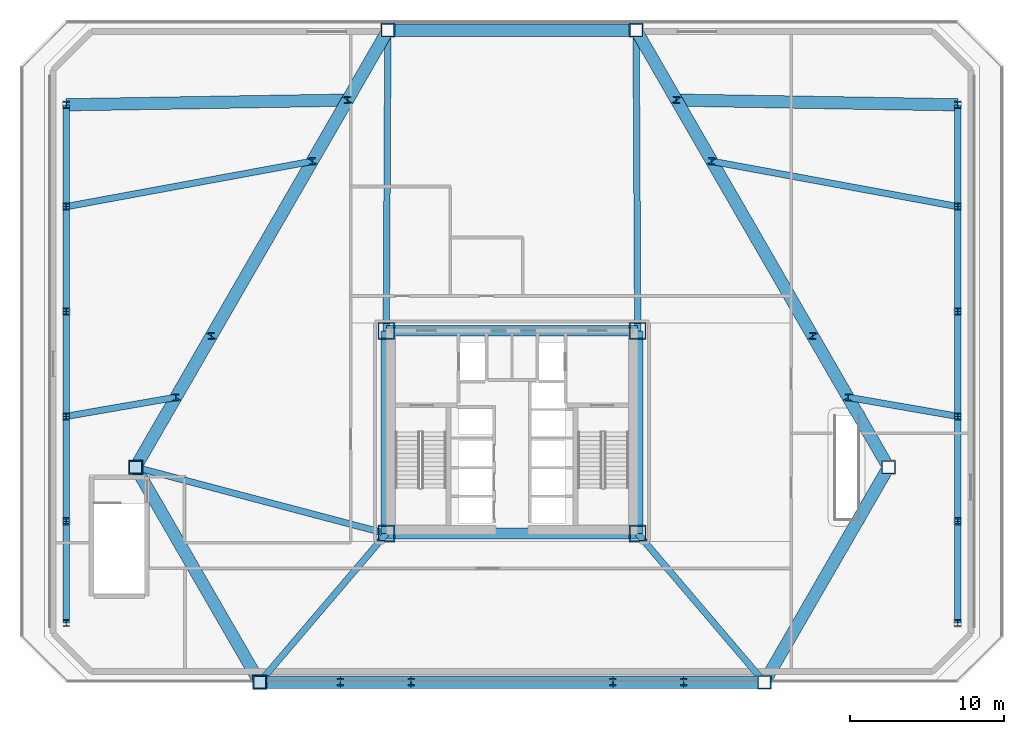
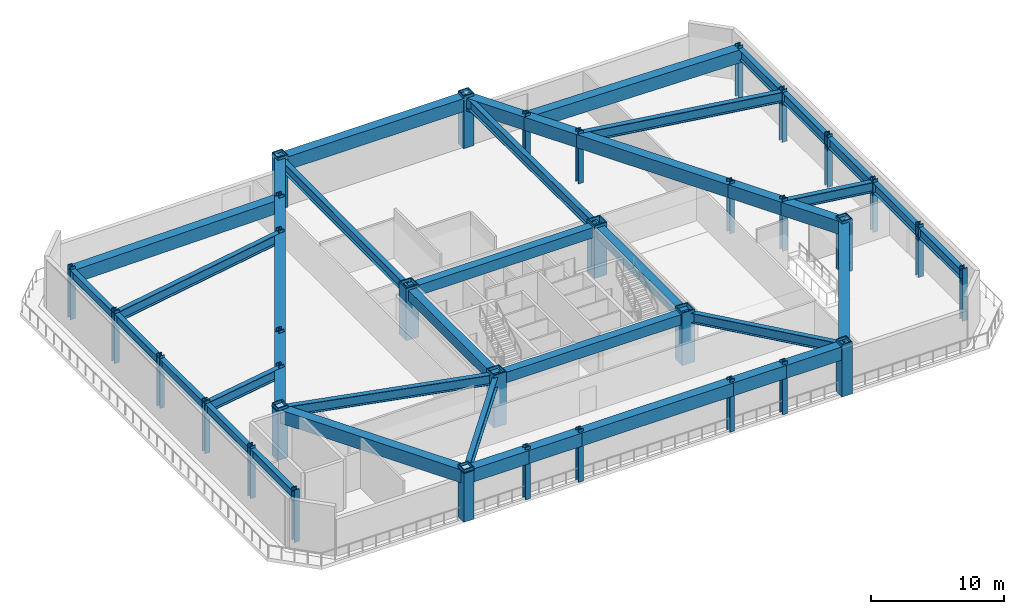
# One storey, part 1 of 10: 43 beams, 34 columns, 2 plates.
"""IFC4 building model written with IfcOpenShell, lengths in metres."""

from ifc_helpers import new_model, si_unit, direction, frame, origin, origin_2d, place, context, subcontext, project, spatial, rectangle, hollow_rectangle, i_section, extrude, material, layer, layer_set, material_profile, profile_set, type_object, element, save


model = new_model("IFC4")

# Units and contexts
model_context = context("Model", 3, precision=1e-05, world=origin(), true_north=direction((0.0, 1.0)))
body_context = subcontext(model_context, "Body", "Model", "MODEL_VIEW")
ifc_project = project(units=[si_unit("LENGTHUNIT", "METRE"), si_unit("AREAUNIT", "SQUARE_METRE"), si_unit("VOLUMEUNIT", "CUBIC_METRE"), si_unit("PLANEANGLEUNIT", "RADIAN"), si_unit("MASSUNIT", "GRAM", prefix="KILO")], contexts=[model_context])

# Site, building, storey
site_placement = place(None, origin())
site = spatial("IfcSite", under=ifc_project, at=site_placement, CompositionType="ELEMENT")
building_placement = place(site_placement, origin())
building = spatial("IfcBuilding", under=site, at=building_placement, Name="Oramaril Tower", CompositionType="ELEMENT")
storey_placement = place(building_placement, frame((0.0, 0.0, 22.5)))
storey = spatial("IfcBuildingStorey", under=building, at=storey_placement, Name="L05", CompositionType="ELEMENT", Elevation=22.5)

# Columns
ifc_material_1 = material(Name="Steel ASTM A572 Gr 50", Category="steel")
ifc_material_profile_1 = material_profile(ifc_material_1, hollow_rectangle(XDim=1.10009765625, YDim=1.10009765625, WallThickness=0.090087890625, at=origin_2d()), Name="BOX1100X1100X90")
ifc_profile_set_1 = profile_set([ifc_material_profile_1], Name="Steel ASTM A572 Gr 50")
column_type_1 = type_object("IfcColumnType", Name="CT-CC1", PredefinedType="COLUMN", material=ifc_profile_set_1)
for number, where, z_axis, x_axis, name in (
    (1, (29.35009765625, 11.0, 0.0), (0.0, 0.0, 1.0), (1.0, 0.0, 0.0), "L05 Core Column CC-1"),
    (2, (45.64990234375, 11.0, 0.0), (0.0, 0.0, 1.0), (1.0, 0.0, 0.0), "L05 Core Column CC-2"),
    (3, (45.64990234375, 24.14990234375, 0.0), (0.0, 0.0, 1.0), (1.0, 0.0, 0.0), "L05 Core Column CC-3"),
    (4, (29.35009765625, 24.14990234375, 0.0), (0.0, 0.0, 1.0), (1.0, 0.0, 0.0), "L05 Core Column CC-4"),
):
    element("IfcColumn", number, at=place(storey_placement, frame(where, z_axis=z_axis, x_axis=x_axis)), inside=storey, type_object=column_type_1, Name=name, PredefinedType="COLUMN", context=body_context, shape_type="SweptSolid", body=[
        extrude(hollow_rectangle(XDim=1.10009765625, YDim=1.10009765625, WallThickness=0.090087890625, at=origin_2d()), origin(), (0.0, 0.0, 1.0), 4.800048828125),
    ])
ifc_material_2 = material(Name="Steel ASTM A572 Gr 50", Category="steel")
ifc_material_profile_2 = material_profile(ifc_material_2, hollow_rectangle(XDim=0.89990234375, YDim=0.89990234375, WallThickness=0.074951171875, at=origin_2d()), Name="BOX900X900X75")
ifc_profile_set_2 = profile_set([ifc_material_profile_2], Name="Steel ASTM A572 Gr 50")
column_type_2 = type_object("IfcColumnType", Name="CT-TC2", PredefinedType="COLUMN", material=ifc_profile_set_2)
for number, where, z_axis, x_axis, name in (
    (5, (13.089599609375, 15.300048828125, 0.00439453125), (0.0, 0.0, 1.0), (1.0, 0.0, 0.0), "L05 Tube Column TC-01"),
    (6, (21.137939453125, 1.360107421875, 0.00439453125), (0.0, 0.0, 1.0), (1.0, 0.0, 0.0), "L05 Tube Column TC-02"),
    (7, (53.862060546875, 1.360107421875, 0.00439453125), (0.0, 0.0, 1.0), (1.0, 0.0, 0.0), "L05 Tube Column TC-03"),
    (8, (61.910400390625, 15.300048828125, 0.00439453125), (0.0, 0.0, 1.0), (1.0, 0.0, 0.0), "L05 Tube Column TC-04"),
    (9, (45.548095703125, 43.639892578125, 0.00439453125), (0.0, 0.0, 1.0), (1.0, 0.0, 0.0), "L05 Tube Column TC-05"),
    (10, (29.451904296875, 43.639892578125, 0.00439453125), (0.0, 0.0, 1.0), (1.0, 0.0, 0.0), "L05 Tube Column TC-06"),
):
    element("IfcColumn", number, at=place(storey_placement, frame(where, z_axis=z_axis, x_axis=x_axis)), inside=storey, type_object=column_type_2, Name=name, PredefinedType="COLUMN", context=body_context, shape_type="SweptSolid", body=[
        extrude(hollow_rectangle(XDim=0.89990234375, YDim=0.89990234375, WallThickness=0.074951171875, at=origin_2d()), origin(), (0.0, 0.0, 1.0), 4.7861328125),
    ])
ifc_material_3 = material(Name="Steel ASTM A572 Gr 50", Category="steel")
ifc_material_profile_3 = material_profile(ifc_material_3, i_section(OverallWidth=0.422119140625, OverallDepth=0.465087890625, WebThickness=0.044921875, FlangeThickness=0.072021484375, at=origin_2d()), Name="W14X398")
ifc_profile_set_3 = profile_set([ifc_material_profile_3], Name="Steel ASTM A572 Gr 50")
column_type_3 = type_object("IfcColumnType", Name="CT-TF1", PredefinedType="COLUMN", material=ifc_profile_set_3)
for number, where, z_axis, x_axis, name in (
    (11, (26.373779296875, 1.360107421875, 0.00439453125), (0.0, 0.0, 1.0), (1.0, 0.0, 0.0), "L05 Tube Column TC-07"),
    (12, (30.955078125, 1.360107421875, 0.00439453125), (0.0, 0.0, 1.0), (1.0, 0.0, 0.0), "L05 Tube Column TC-08"),
    (13, (44.044921875, 1.360107421875, 0.00439453125), (0.0, 0.0, 1.0), (1.0, 0.0, 0.0), "L05 Tube Column TC-09"),
    (14, (48.626220703125, 1.360107421875, 0.00439453125), (0.0, 0.0, 1.0), (1.0, 0.0, 0.0), "L05 Tube Column TC-10"),
    (15, (59.29248046875, 19.83447265625, 0.00439453125), (0.0, 0.0, 1.0), (1.0, 0.0, 0.0), "L05 Tube Column TC-11"),
    (16, (57.001708984375, 23.802001953125, 0.00439453125), (0.0, 0.0, 1.0), (1.0, 0.0, 0.0), "L05 Tube Column TC-12"),
    (17, (50.456787109375, 35.137939453125, 0.00439453125), (0.0, 0.0, 1.0), (1.0, 0.0, 0.0), "L05 Tube Column TC-13"),
    (18, (48.166015625, 39.105712890625, 0.00439453125), (0.0, 0.0, 1.0), (1.0, 0.0, 0.0), "L05 Tube Column TC-14"),
    (19, (26.833984375, 39.105712890625, 0.00439453125), (0.0, 0.0, 1.0), (1.0, 0.0, 0.0), "L05 Tube Column TC-15"),
    (20, (24.543212890625, 35.137939453125, 0.00439453125), (0.0, 0.0, 1.0), (1.0, 0.0, 0.0), "L05 Tube Column TC-16"),
    (21, (17.998291015625, 23.802001953125, 0.00439453125), (0.0, 0.0, 1.0), (1.0, 0.0, 0.0), "L05 Tube Column TC-17"),
    (22, (15.70751953125, 19.83447265625, 0.00439453125), (0.0, 0.0, 1.0), (1.0, 0.0, 0.0), "L05 Tube Column TC-18"),
):
    element("IfcColumn", number, at=place(storey_placement, frame(where, z_axis=z_axis, x_axis=x_axis)), inside=storey, type_object=column_type_3, Name=name, PredefinedType="COLUMN", context=body_context, shape_type="SweptSolid", body=[
        extrude(i_section(OverallWidth=0.422119140625, OverallDepth=0.465087890625, WebThickness=0.044921875, FlangeThickness=0.072021484375, at=origin_2d()), origin(), (0.0, 0.0, 1.0), 4.791015625),
    ])
for number, where, z_axis, x_axis, name in (
    (23, (8.60009765625, 5.199951171875, 0.0), (0.0, 0.0, 1.0), (1.0, 0.0, 0.0), "L05 Podium Column PCOL-01"),
    (24, (8.60009765625, 11.800048828125, 0.0), (0.0, 0.0, 1.0), (1.0, 0.0, 0.0), "L05 Podium Column PCOL-02"),
    (25, (8.60009765625, 18.60009765625, 0.0), (0.0, 0.0, 1.0), (1.0, 0.0, 0.0), "L05 Podium Column PCOL-03"),
    (26, (8.60009765625, 25.39990234375, 0.0), (0.0, 0.0, 1.0), (1.0, 0.0, 0.0), "L05 Podium Column PCOL-04"),
    (27, (8.60009765625, 32.199951171875, 0.0), (0.0, 0.0, 1.0), (1.0, 0.0, 0.0), "L05 Podium Column PCOL-05"),
    (28, (8.60009765625, 38.800048828125, 0.0), (0.0, 0.0, 1.0), (1.0, 0.0, 0.0), "L05 Podium Column PCOL-06"),
    (29, (66.39990234375, 5.199951171875, 0.0), (0.0, 0.0, 1.0), (1.0, 0.0, 0.0), "L05 Podium Column PCOL-07"),
    (30, (66.39990234375, 11.800048828125, 0.0), (0.0, 0.0, 1.0), (1.0, 0.0, 0.0), "L05 Podium Column PCOL-08"),
    (31, (66.39990234375, 18.60009765625, 0.0), (0.0, 0.0, 1.0), (1.0, 0.0, 0.0), "L05 Podium Column PCOL-09"),
    (32, (66.39990234375, 25.39990234375, 0.0), (0.0, 0.0, 1.0), (1.0, 0.0, 0.0), "L05 Podium Column PCOL-10"),
    (33, (66.39990234375, 32.199951171875, 0.0), (0.0, 0.0, 1.0), (1.0, 0.0, 0.0), "L05 Podium Column PCOL-11"),
    (34, (66.39990234375, 38.800048828125, 0.0), (0.0, 0.0, 1.0), (1.0, 0.0, 0.0), "L05 Podium Column PCOL-12"),
):
    element("IfcColumn", number, at=place(storey_placement, frame(where, z_axis=z_axis, x_axis=x_axis)), inside=storey, type_object=column_type_3, Name=name, PredefinedType="COLUMN", context=body_context, shape_type="SweptSolid", body=[
        extrude(i_section(OverallWidth=0.422119140625, OverallDepth=0.465087890625, WebThickness=0.044921875, FlangeThickness=0.072021484375, at=origin_2d()), origin(), (0.0, 0.0, 1.0), 4.800048828125),
    ])

# Beams
ifc_material_4 = material(Name="Concrete C50/60", Category="concrete")
ifc_material_profile_4 = material_profile(ifc_material_4, rectangle(XDim=0.699951171875, YDim=0.949951171875, at=origin_2d()), Name="CB700X950")
ifc_profile_set_4 = profile_set([ifc_material_profile_4], Name="Concrete C50/60")
beam_type_1 = type_object("IfcBeamType", Name="BT-CB1", PredefinedType="BEAM", material=ifc_profile_set_4)
beam_1_placement = place(storey_placement, frame((29.35009765625, 11.0, 4.0849609375), z_axis=(1.0, 0.0, 0.0), x_axis=(0.0, 1.0, 0.0)))
element("IfcBeam", 35, at=beam_1_placement, inside=storey, type_object=beam_type_1, Name="L05 Core Header Beam CB-1", PredefinedType="BEAM", context=body_context, shape_type="SweptSolid", body=[
    extrude(rectangle(XDim=0.699951171875, YDim=0.949951171875, at=origin_2d()), origin(), (0.0, 0.0, 1.0), 16.2998046875),
])
beam_2_placement = place(storey_placement, frame((45.64990234375, 11.0, 4.0849609375), z_axis=(0.0, 1.0, 0.0), x_axis=(-1.0, 0.0, 0.0)))
element("IfcBeam", 36, at=beam_2_placement, inside=storey, type_object=beam_type_1, Name="L05 Core Header Beam CB-2", PredefinedType="BEAM", context=body_context, shape_type="SweptSolid", body=[
    extrude(rectangle(XDim=0.699951171875, YDim=0.949951171875, at=origin_2d()), origin(), (0.0, 0.0, 1.0), 13.14990234375),
])
beam_3_placement = place(storey_placement, frame((45.64990234375, 24.14990234375, 4.0849609375), z_axis=(-1.0, 0.0, 0.0), x_axis=(0.0, -1.0, 0.0)))
element("IfcBeam", 37, at=beam_3_placement, inside=storey, type_object=beam_type_1, Name="L05 Core Header Beam CB-3", PredefinedType="BEAM", context=body_context, shape_type="SweptSolid", body=[
    extrude(rectangle(XDim=0.699951171875, YDim=0.949951171875, at=origin_2d()), origin(), (0.0, 0.0, 1.0), 16.2998046875),
])
beam_4_placement = place(storey_placement, frame((29.35009765625, 24.14990234375, 4.0849609375), z_axis=(0.0, -1.0, 0.0), x_axis=(1.0, 0.0, 0.0)))
element("IfcBeam", 38, at=beam_4_placement, inside=storey, type_object=beam_type_1, Name="L05 Core Header Beam CB-4", PredefinedType="BEAM", context=body_context, shape_type="SweptSolid", body=[
    extrude(rectangle(XDim=0.699951171875, YDim=0.949951171875, at=origin_2d()), origin(), (0.0, 0.0, 1.0), 13.14990234375),
])
ifc_material_5 = material(Name="Steel ASTM A572 Gr 50", Category="steel")
ifc_material_profile_5 = material_profile(ifc_material_5, i_section(OverallWidth=0.424072265625, OverallDepth=0.947021484375, WebThickness=0.02392578125, FlangeThickness=0.042724609375, at=origin_2d()), Name="W36X302")
ifc_profile_set_5 = profile_set([ifc_material_profile_5], Name="Steel ASTM A572 Gr 50")
beam_type_2 = type_object("IfcBeamType", Name="BT-PG1", PredefinedType="BEAM", material=ifc_profile_set_5)
beam_5_placement = place(storey_placement, frame((8.60009765625, 18.60009765625, 4.08642578125), z_axis=(0.985251471122, 0.171112649011, 0.0), x_axis=(-0.171112649011, 0.985251471122, 0.0)))
element("IfcBeam", 39, at=beam_5_placement, inside=storey, type_object=beam_type_2, Name="L05 Podium Clear-Span Girder 03", PredefinedType="BEAM", context=body_context, shape_type="SweptSolid", body=[
    extrude(i_section(OverallWidth=0.424072265625, OverallDepth=0.947021484375, WebThickness=0.02392578125, FlangeThickness=0.042724609375, at=origin_2d()), origin(), (0.0, 0.0, 1.0), 7.2138671875),
])
beam_6_placement = place(storey_placement, frame((8.60009765625, 32.199951171875, 4.08642578125), z_axis=(0.983441112449, 0.181227973404, 0.0), x_axis=(-0.181227973404, 0.983441112449, 0.0)))
element("IfcBeam", 40, at=beam_6_placement, inside=storey, type_object=beam_type_2, Name="L05 Podium Clear-Span Girder 05", PredefinedType="BEAM", context=body_context, shape_type="SweptSolid", body=[
    extrude(i_section(OverallWidth=0.424072265625, OverallDepth=0.947021484375, WebThickness=0.02392578125, FlangeThickness=0.042724609375, at=origin_2d()), origin(), (0.0, 0.0, 1.0), 16.211669921875),
])
beam_7_placement = place(storey_placement, frame((66.39990234375, 18.60009765625, 4.08642578125), z_axis=(-0.985251471122, 0.171112649011, 0.0), x_axis=(-0.171112649011, -0.985251471122, 0.0)))
element("IfcBeam", 41, at=beam_7_placement, inside=storey, type_object=beam_type_2, Name="L05 Podium Clear-Span Girder 09", PredefinedType="BEAM", context=body_context, shape_type="SweptSolid", body=[
    extrude(i_section(OverallWidth=0.424072265625, OverallDepth=0.947021484375, WebThickness=0.02392578125, FlangeThickness=0.042724609375, at=origin_2d()), origin(), (0.0, 0.0, 1.0), 7.2138671875),
])
beam_8_placement = place(storey_placement, frame((66.39990234375, 32.199951171875, 4.08642578125), z_axis=(-0.983441112449, 0.181227973404, 0.0), x_axis=(-0.181227973404, -0.983441112449, 0.0)))
element("IfcBeam", 42, at=beam_8_placement, inside=storey, type_object=beam_type_2, Name="L05 Podium Clear-Span Girder 11", PredefinedType="BEAM", context=body_context, shape_type="SweptSolid", body=[
    extrude(i_section(OverallWidth=0.424072265625, OverallDepth=0.947021484375, WebThickness=0.02392578125, FlangeThickness=0.042724609375, at=origin_2d()), origin(), (0.0, 0.0, 1.0), 16.211669921875),
])
ifc_material_6 = material(Name="Steel ASTM A572 Gr 50", Category="steel")
ifc_material_profile_6 = material_profile(ifc_material_6, i_section(OverallWidth=0.4189453125, OverallDepth=0.927001953125, WebThickness=0.019287109375, FlangeThickness=0.031982421875, at=origin_2d()), Name="W36X231")
ifc_profile_set_6 = profile_set([ifc_material_profile_6], Name="Steel ASTM A572 Gr 50")
beam_type_3 = type_object("IfcBeamType", Name="BT-PG2", PredefinedType="BEAM", material=ifc_profile_set_6)
beam_9_placement = place(storey_placement, frame((29.35009765625, 11.0, 4.096435546875), z_axis=(-0.966766980937, 0.255659157024, 0.0), x_axis=(-0.255659157024, -0.966766980937, 0.0)))
element("IfcBeam", 43, at=beam_9_placement, inside=storey, type_object=beam_type_3, Name="L05 Radial Primary Beam RB-01", PredefinedType="BEAM", context=body_context, shape_type="SweptSolid", body=[
    extrude(i_section(OverallWidth=0.4189453125, OverallDepth=0.927001953125, WebThickness=0.019287109375, FlangeThickness=0.031982421875, at=origin_2d()), origin(), (0.0, 0.0, 1.0), 16.819580078125),
])
for number, where, z_axis, x_axis, name in (
    (44, (29.35009765625, 11.0, 4.096435546875), (-0.64848466157, -0.761227721322, 0.0), (0.761227721322, -0.64848466157, 0.0), "L05 Radial Primary Beam RB-02"),
    (45, (45.64990234375, 11.0, 4.096435546875), (0.64848466157, -0.761227721322, 0.0), (0.761227721322, 0.64848466157, 0.0), "L05 Radial Primary Beam RB-03"),
):
    element("IfcBeam", number, at=place(storey_placement, frame(where, z_axis=z_axis, x_axis=x_axis)), inside=storey, type_object=beam_type_3, Name=name, PredefinedType="BEAM", context=body_context, shape_type="SweptSolid", body=[
        extrude(i_section(OverallWidth=0.4189453125, OverallDepth=0.927001953125, WebThickness=0.019287109375, FlangeThickness=0.031982421875, at=origin_2d()), origin(), (0.0, 0.0, 1.0), 12.66357421875),
    ])
for number, where, z_axis, x_axis, name in (
    (46, (45.64990234375, 24.14990234375, 4.096435546875), (-0.005223463456, 0.999986357622, 0.0), (-0.999986357622, -0.005223463456, 0.0), "L05 Radial Primary Beam RB-05"),
    (47, (29.35009765625, 24.14990234375, 4.096435546875), (0.005223463456, 0.999986357622, 0.0), (-0.999986357622, 0.005223463456, 0.0), "L05 Radial Primary Beam RB-06"),
):
    element("IfcBeam", number, at=place(storey_placement, frame(where, z_axis=z_axis, x_axis=x_axis)), inside=storey, type_object=beam_type_3, Name=name, PredefinedType="BEAM", context=body_context, shape_type="SweptSolid", body=[
        extrude(i_section(OverallWidth=0.4189453125, OverallDepth=0.927001953125, WebThickness=0.019287109375, FlangeThickness=0.031982421875, at=origin_2d()), origin(), (0.0, 0.0, 1.0), 19.490234375),
    ])
beam_10_placement = place(storey_placement, frame((8.60009765625, 5.199951171875, 4.096435546875), z_axis=(0.0, 1.0, 0.0), x_axis=(-1.0, 0.0, 0.0)))
element("IfcBeam", 48, at=beam_10_placement, inside=storey, type_object=beam_type_3, Name="L05 Podium Perimeter Girder 01", PredefinedType="BEAM", context=body_context, shape_type="SweptSolid", body=[
    extrude(i_section(OverallWidth=0.4189453125, OverallDepth=0.927001953125, WebThickness=0.019287109375, FlangeThickness=0.031982421875, at=origin_2d()), origin(), (0.0, 0.0, 1.0), 6.60009765625),
])
beam_11_placement = place(storey_placement, frame((8.60009765625, 11.800048828125, 4.096435546875), z_axis=(0.0, 1.0, 0.0), x_axis=(-1.0, 0.0, 0.0)))
element("IfcBeam", 49, at=beam_11_placement, inside=storey, type_object=beam_type_3, Name="L05 Podium Perimeter Girder 02", PredefinedType="BEAM", context=body_context, shape_type="SweptSolid", body=[
    extrude(i_section(OverallWidth=0.4189453125, OverallDepth=0.927001953125, WebThickness=0.019287109375, FlangeThickness=0.031982421875, at=origin_2d()), origin(), (0.0, 0.0, 1.0), 6.800048828125),
])
beam_12_placement = place(storey_placement, frame((8.60009765625, 18.60009765625, 4.096435546875), z_axis=(0.0, 1.0, 0.0), x_axis=(-1.0, 0.0, 0.0)))
element("IfcBeam", 50, at=beam_12_placement, inside=storey, type_object=beam_type_3, Name="L05 Podium Perimeter Girder 03", PredefinedType="BEAM", context=body_context, shape_type="SweptSolid", body=[
    extrude(i_section(OverallWidth=0.4189453125, OverallDepth=0.927001953125, WebThickness=0.019287109375, FlangeThickness=0.031982421875, at=origin_2d()), origin(), (0.0, 0.0, 1.0), 6.7998046875),
])
beam_13_placement = place(storey_placement, frame((8.60009765625, 25.39990234375, 4.096435546875), z_axis=(0.0, 1.0, 0.0), x_axis=(-1.0, 0.0, 0.0)))
element("IfcBeam", 51, at=beam_13_placement, inside=storey, type_object=beam_type_3, Name="L05 Podium Perimeter Girder 04", PredefinedType="BEAM", context=body_context, shape_type="SweptSolid", body=[
    extrude(i_section(OverallWidth=0.4189453125, OverallDepth=0.927001953125, WebThickness=0.019287109375, FlangeThickness=0.031982421875, at=origin_2d()), origin(), (0.0, 0.0, 1.0), 6.800048828125),
])
for number, where, z_axis, x_axis, name in (
    (52, (8.60009765625, 32.199951171875, 4.096435546875), (0.0, 1.0, 0.0), (-1.0, 0.0, 0.0), "L05 Podium Perimeter Girder 05"),
    (53, (66.39990234375, 5.199951171875, 4.096435546875), (0.0, 1.0, 0.0), (-1.0, 0.0, 0.0), "L05 Podium Perimeter Girder 07"),
):
    element("IfcBeam", number, at=place(storey_placement, frame(where, z_axis=z_axis, x_axis=x_axis)), inside=storey, type_object=beam_type_3, Name=name, PredefinedType="BEAM", context=body_context, shape_type="SweptSolid", body=[
        extrude(i_section(OverallWidth=0.4189453125, OverallDepth=0.927001953125, WebThickness=0.019287109375, FlangeThickness=0.031982421875, at=origin_2d()), origin(), (0.0, 0.0, 1.0), 6.60009765625),
    ])
beam_14_placement = place(storey_placement, frame((66.39990234375, 11.800048828125, 4.096435546875), z_axis=(0.0, 1.0, 0.0), x_axis=(-1.0, 0.0, 0.0)))
element("IfcBeam", 54, at=beam_14_placement, inside=storey, type_object=beam_type_3, Name="L05 Podium Perimeter Girder 08", PredefinedType="BEAM", context=body_context, shape_type="SweptSolid", body=[
    extrude(i_section(OverallWidth=0.4189453125, OverallDepth=0.927001953125, WebThickness=0.019287109375, FlangeThickness=0.031982421875, at=origin_2d()), origin(), (0.0, 0.0, 1.0), 6.800048828125),
])
beam_15_placement = place(storey_placement, frame((66.39990234375, 18.60009765625, 4.096435546875), z_axis=(0.0, 1.0, 0.0), x_axis=(-1.0, 0.0, 0.0)))
element("IfcBeam", 55, at=beam_15_placement, inside=storey, type_object=beam_type_3, Name="L05 Podium Perimeter Girder 09", PredefinedType="BEAM", context=body_context, shape_type="SweptSolid", body=[
    extrude(i_section(OverallWidth=0.4189453125, OverallDepth=0.927001953125, WebThickness=0.019287109375, FlangeThickness=0.031982421875, at=origin_2d()), origin(), (0.0, 0.0, 1.0), 6.7998046875),
])
beam_16_placement = place(storey_placement, frame((66.39990234375, 25.39990234375, 4.096435546875), z_axis=(0.0, 1.0, 0.0), x_axis=(-1.0, 0.0, 0.0)))
element("IfcBeam", 56, at=beam_16_placement, inside=storey, type_object=beam_type_3, Name="L05 Podium Perimeter Girder 10", PredefinedType="BEAM", context=body_context, shape_type="SweptSolid", body=[
    extrude(i_section(OverallWidth=0.4189453125, OverallDepth=0.927001953125, WebThickness=0.019287109375, FlangeThickness=0.031982421875, at=origin_2d()), origin(), (0.0, 0.0, 1.0), 6.800048828125),
])
beam_17_placement = place(storey_placement, frame((66.39990234375, 32.199951171875, 4.096435546875), z_axis=(0.0, 1.0, 0.0), x_axis=(-1.0, 0.0, 0.0)))
element("IfcBeam", 57, at=beam_17_placement, inside=storey, type_object=beam_type_3, Name="L05 Podium Perimeter Girder 11", PredefinedType="BEAM", context=body_context, shape_type="SweptSolid", body=[
    extrude(i_section(OverallWidth=0.4189453125, OverallDepth=0.927001953125, WebThickness=0.019287109375, FlangeThickness=0.031982421875, at=origin_2d()), origin(), (0.0, 0.0, 1.0), 6.60009765625),
])
ifc_material_7 = material(Name="Steel ASTM A572 Gr 50", Category="steel")
ifc_material_profile_7 = material_profile(ifc_material_7, hollow_rectangle(XDim=0.800048828125, YDim=1.199951171875, WallThickness=0.074951171875, at=origin_2d()), Name="BOX1200X800X75")
ifc_profile_set_7 = profile_set([ifc_material_profile_7], Name="Steel ASTM A572 Gr 50")
beam_type_4 = type_object("IfcBeamType", Name="BT-TT1", PredefinedType="BEAM", material=ifc_profile_set_7)
beam_18_placement = place(storey_placement, frame((13.089599609375, 15.300048828125, 3.9599609375), z_axis=(0.500005168208, -0.866022419898, 0.0), x_axis=(0.866022419898, 0.500005168208, 0.0)))
element("IfcBeam", 58, at=beam_18_placement, inside=storey, type_object=beam_type_4, Name="L05 Perimeter Spandrel 01", PredefinedType="BEAM", context=body_context, shape_type="SweptSolid", body=[
    extrude(hollow_rectangle(XDim=0.800048828125, YDim=1.199951171875, WallThickness=0.074951171875, at=origin_2d()), origin(), (0.0, 0.0, 1.0), 16.096435546875),
])
beam_19_placement = place(storey_placement, frame((21.137939453125, 1.360107421875, 3.9599609375), z_axis=(1.0, 0.0, 0.0), x_axis=(0.0, 1.0, 0.0)))
element("IfcBeam", 59, at=beam_19_placement, inside=storey, type_object=beam_type_4, Name="L05 Perimeter Spandrel 02", PredefinedType="BEAM", context=body_context, shape_type="SweptSolid", body=[
    extrude(hollow_rectangle(XDim=0.800048828125, YDim=1.199951171875, WallThickness=0.074951171875, at=origin_2d()), origin(), (0.0, 0.0, 1.0), 5.23583984375),
])
beam_20_placement = place(storey_placement, frame((26.373779296875, 1.360107421875, 3.9599609375), z_axis=(1.0, 0.0, 0.0), x_axis=(0.0, 1.0, 0.0)))
element("IfcBeam", 60, at=beam_20_placement, inside=storey, type_object=beam_type_4, Name="L05 Perimeter Spandrel 03", PredefinedType="BEAM", context=body_context, shape_type="SweptSolid", body=[
    extrude(hollow_rectangle(XDim=0.800048828125, YDim=1.199951171875, WallThickness=0.074951171875, at=origin_2d()), origin(), (0.0, 0.0, 1.0), 4.581298828125),
])
beam_21_placement = place(storey_placement, frame((30.955078125, 1.360107421875, 3.9599609375), z_axis=(1.0, 0.0, 0.0), x_axis=(0.0, 1.0, 0.0)))
element("IfcBeam", 61, at=beam_21_placement, inside=storey, type_object=beam_type_4, Name="L05 Perimeter Spandrel 04", PredefinedType="BEAM", context=body_context, shape_type="SweptSolid", body=[
    extrude(hollow_rectangle(XDim=0.800048828125, YDim=1.199951171875, WallThickness=0.074951171875, at=origin_2d()), origin(), (0.0, 0.0, 1.0), 13.08984375),
])
beam_22_placement = place(storey_placement, frame((44.044921875, 1.360107421875, 3.9599609375), z_axis=(1.0, 0.0, 0.0), x_axis=(0.0, 1.0, 0.0)))
element("IfcBeam", 62, at=beam_22_placement, inside=storey, type_object=beam_type_4, Name="L05 Perimeter Spandrel 05", PredefinedType="BEAM", context=body_context, shape_type="SweptSolid", body=[
    extrude(hollow_rectangle(XDim=0.800048828125, YDim=1.199951171875, WallThickness=0.074951171875, at=origin_2d()), origin(), (0.0, 0.0, 1.0), 4.581298828125),
])
beam_23_placement = place(storey_placement, frame((48.626220703125, 1.360107421875, 3.9599609375), z_axis=(1.0, 0.0, 0.0), x_axis=(0.0, 1.0, 0.0)))
element("IfcBeam", 63, at=beam_23_placement, inside=storey, type_object=beam_type_4, Name="L05 Perimeter Spandrel 06", PredefinedType="BEAM", context=body_context, shape_type="SweptSolid", body=[
    extrude(hollow_rectangle(XDim=0.800048828125, YDim=1.199951171875, WallThickness=0.074951171875, at=origin_2d()), origin(), (0.0, 0.0, 1.0), 5.23583984375),
])
beam_24_placement = place(storey_placement, frame((53.862060546875, 1.360107421875, 3.9599609375), z_axis=(0.500005168208, 0.866022419898, 0.0), x_axis=(-0.866022419898, 0.500005168208, 0.0)))
element("IfcBeam", 64, at=beam_24_placement, inside=storey, type_object=beam_type_4, Name="L05 Perimeter Spandrel 07", PredefinedType="BEAM", context=body_context, shape_type="SweptSolid", body=[
    extrude(hollow_rectangle(XDim=0.800048828125, YDim=1.199951171875, WallThickness=0.074951171875, at=origin_2d()), origin(), (0.0, 0.0, 1.0), 16.096435546875),
])
beam_25_placement = place(storey_placement, frame((61.910400390625, 15.300048828125, 3.9599609375), z_axis=(-0.499995574394, 0.866027958894, 0.0), x_axis=(-0.866027958894, -0.499995574394, 0.0)))
element("IfcBeam", 65, at=beam_25_placement, inside=storey, type_object=beam_type_4, Name="L05 Perimeter Spandrel 08", PredefinedType="BEAM", context=body_context, shape_type="SweptSolid", body=[
    extrude(hollow_rectangle(XDim=0.800048828125, YDim=1.199951171875, WallThickness=0.074951171875, at=origin_2d()), origin(), (0.0, 0.0, 1.0), 5.23583984375),
])
beam_26_placement = place(storey_placement, frame((59.29248046875, 19.83447265625, 3.9599609375), z_axis=(-0.500019215235, 0.866014309579, 0.0), x_axis=(-0.866014309579, -0.500019215235, 0.0)))
element("IfcBeam", 66, at=beam_26_placement, inside=storey, type_object=beam_type_4, Name="L05 Perimeter Spandrel 09", PredefinedType="BEAM", context=body_context, shape_type="SweptSolid", body=[
    extrude(hollow_rectangle(XDim=0.800048828125, YDim=1.199951171875, WallThickness=0.074951171875, at=origin_2d()), origin(), (0.0, 0.0, 1.0), 4.581298828125),
])
beam_27_placement = place(storey_placement, frame((57.001708984375, 23.802001953125, 3.9599609375), z_axis=(-0.50000660679, 0.866021589319, 0.0), x_axis=(-0.866021589319, -0.50000660679, 0.0)))
element("IfcBeam", 67, at=beam_27_placement, inside=storey, type_object=beam_type_4, Name="L05 Perimeter Spandrel 10", PredefinedType="BEAM", context=body_context, shape_type="SweptSolid", body=[
    extrude(hollow_rectangle(XDim=0.800048828125, YDim=1.199951171875, WallThickness=0.074951171875, at=origin_2d()), origin(), (0.0, 0.0, 1.0), 13.089599609375),
])
beam_28_placement = place(storey_placement, frame((50.456787109375, 35.137939453125, 3.9599609375), z_axis=(-0.499996140324, 0.866027632158, 0.0), x_axis=(-0.866027632158, -0.499996140324, 0.0)))
element("IfcBeam", 68, at=beam_28_placement, inside=storey, type_object=beam_type_4, Name="L05 Perimeter Spandrel 11", PredefinedType="BEAM", context=body_context, shape_type="SweptSolid", body=[
    extrude(hollow_rectangle(XDim=0.800048828125, YDim=1.199951171875, WallThickness=0.074951171875, at=origin_2d()), origin(), (0.0, 0.0, 1.0), 4.58154296875),
])
beam_29_placement = place(storey_placement, frame((48.166015625, 39.105712890625, 3.9599609375), z_axis=(-0.500015765613, 0.866016301312, 0.0), x_axis=(-0.866016301312, -0.500015765613, 0.0)))
element("IfcBeam", 69, at=beam_29_placement, inside=storey, type_object=beam_type_4, Name="L05 Perimeter Spandrel 12", PredefinedType="BEAM", context=body_context, shape_type="SweptSolid", body=[
    extrude(hollow_rectangle(XDim=0.800048828125, YDim=1.199951171875, WallThickness=0.074951171875, at=origin_2d()), origin(), (0.0, 0.0, 1.0), 5.235595703125),
])
beam_30_placement = place(storey_placement, frame((45.548095703125, 43.639892578125, 3.9599609375), z_axis=(-1.0, 0.0, 0.0), x_axis=(0.0, -1.0, 0.0)))
element("IfcBeam", 70, at=beam_30_placement, inside=storey, type_object=beam_type_4, Name="L05 Perimeter Spandrel 13", PredefinedType="BEAM", context=body_context, shape_type="SweptSolid", body=[
    extrude(hollow_rectangle(XDim=0.800048828125, YDim=1.199951171875, WallThickness=0.074951171875, at=origin_2d()), origin(), (0.0, 0.0, 1.0), 16.09619140625),
])
beam_31_placement = place(storey_placement, frame((29.451904296875, 43.639892578125, 3.9599609375), z_axis=(-0.500015765613, -0.866016301312, 0.0), x_axis=(0.866016301312, -0.500015765613, 0.0)))
element("IfcBeam", 71, at=beam_31_placement, inside=storey, type_object=beam_type_4, Name="L05 Perimeter Spandrel 14", PredefinedType="BEAM", context=body_context, shape_type="SweptSolid", body=[
    extrude(hollow_rectangle(XDim=0.800048828125, YDim=1.199951171875, WallThickness=0.074951171875, at=origin_2d()), origin(), (0.0, 0.0, 1.0), 5.235595703125),
])
beam_32_placement = place(storey_placement, frame((26.833984375, 39.105712890625, 3.9599609375), z_axis=(-0.499996140324, -0.866027632158, 0.0), x_axis=(0.866027632158, -0.499996140324, 0.0)))
element("IfcBeam", 72, at=beam_32_placement, inside=storey, type_object=beam_type_4, Name="L05 Perimeter Spandrel 15", PredefinedType="BEAM", context=body_context, shape_type="SweptSolid", body=[
    extrude(hollow_rectangle(XDim=0.800048828125, YDim=1.199951171875, WallThickness=0.074951171875, at=origin_2d()), origin(), (0.0, 0.0, 1.0), 4.58154296875),
])
beam_33_placement = place(storey_placement, frame((24.543212890625, 35.137939453125, 3.9599609375), z_axis=(-0.50000660679, -0.866021589319, 0.0), x_axis=(0.866021589319, -0.50000660679, 0.0)))
element("IfcBeam", 73, at=beam_33_placement, inside=storey, type_object=beam_type_4, Name="L05 Perimeter Spandrel 16", PredefinedType="BEAM", context=body_context, shape_type="SweptSolid", body=[
    extrude(hollow_rectangle(XDim=0.800048828125, YDim=1.199951171875, WallThickness=0.074951171875, at=origin_2d()), origin(), (0.0, 0.0, 1.0), 13.089599609375),
])
beam_34_placement = place(storey_placement, frame((17.998291015625, 23.802001953125, 3.9599609375), z_axis=(-0.500019215235, -0.866014309579, 0.0), x_axis=(0.866014309579, -0.500019215235, 0.0)))
element("IfcBeam", 74, at=beam_34_placement, inside=storey, type_object=beam_type_4, Name="L05 Perimeter Spandrel 17", PredefinedType="BEAM", context=body_context, shape_type="SweptSolid", body=[
    extrude(hollow_rectangle(XDim=0.800048828125, YDim=1.199951171875, WallThickness=0.074951171875, at=origin_2d()), origin(), (0.0, 0.0, 1.0), 4.581298828125),
])
beam_35_placement = place(storey_placement, frame((15.70751953125, 19.83447265625, 3.9599609375), z_axis=(-0.499995574394, -0.866027958894, 0.0), x_axis=(0.866027958894, -0.499995574394, 0.0)))
element("IfcBeam", 75, at=beam_35_placement, inside=storey, type_object=beam_type_4, Name="L05 Perimeter Spandrel 18", PredefinedType="BEAM", context=body_context, shape_type="SweptSolid", body=[
    extrude(hollow_rectangle(XDim=0.800048828125, YDim=1.199951171875, WallThickness=0.074951171875, at=origin_2d()), origin(), (0.0, 0.0, 1.0), 5.23583984375),
])
for number, where, z_axis, x_axis, name in (
    (76, (8.60009765625, 38.800048828125, 3.9599609375), (0.999859521862, 0.016761161682, 0.0), (-0.016761161682, 0.999859521862, 0.0), "L05 Podium Clear-Span Girder 06"),
    (77, (66.39990234375, 38.800048828125, 3.9599609375), (-0.999859521862, 0.016761161682, 0.0), (-0.016761161682, -0.999859521862, 0.0), "L05 Podium Clear-Span Girder 12"),
):
    element("IfcBeam", number, at=place(storey_placement, frame(where, z_axis=z_axis, x_axis=x_axis)), inside=storey, type_object=beam_type_4, Name=name, PredefinedType="BEAM", context=body_context, shape_type="SweptSolid", body=[
        extrude(hollow_rectangle(XDim=0.800048828125, YDim=1.199951171875, WallThickness=0.074951171875, at=origin_2d()), origin(), (0.0, 0.0, 1.0), 18.236328125),
    ])

# Plates
ifc_material_8 = material(Name="Steel ASTM A572 Gr 50", Category="steel")
ifc_layer = layer(ifc_material_8, 0.0849609375)
ifc_layer_set = layer_set([ifc_layer], Name="PLT-C85")
plate_type = type_object("IfcPlateType", Name="PLT-C85", PredefinedType="USERDEFINED", material=ifc_layer_set)
for number, where, z_axis, x_axis, name in (
    (78, (13.089599609375, 15.300048828125, 4.47509765625), (0.0, 0.0, 1.0), (1.0, 0.0, 0.0), "L05 Column Cap Plate CP-01"),
    (79, (21.137939453125, 1.360107421875, 4.47509765625), (0.0, 0.0, 1.0), (1.0, 0.0, 0.0), "L05 Column Cap Plate CP-02"),
):
    element("IfcPlate", number, at=place(storey_placement, frame(where, z_axis=z_axis, x_axis=x_axis)), inside=storey, type_object=plate_type, Name=name, ObjectType="CAP", PredefinedType="USERDEFINED", context=body_context, shape_type="SweptSolid", body=[
        extrude(rectangle(XDim=0.93994140625, YDim=0.93994140625, at=origin_2d()), origin(), (0.0, 0.0, 1.0), 0.0849609375),
    ])

save(model, "model.ifc")
